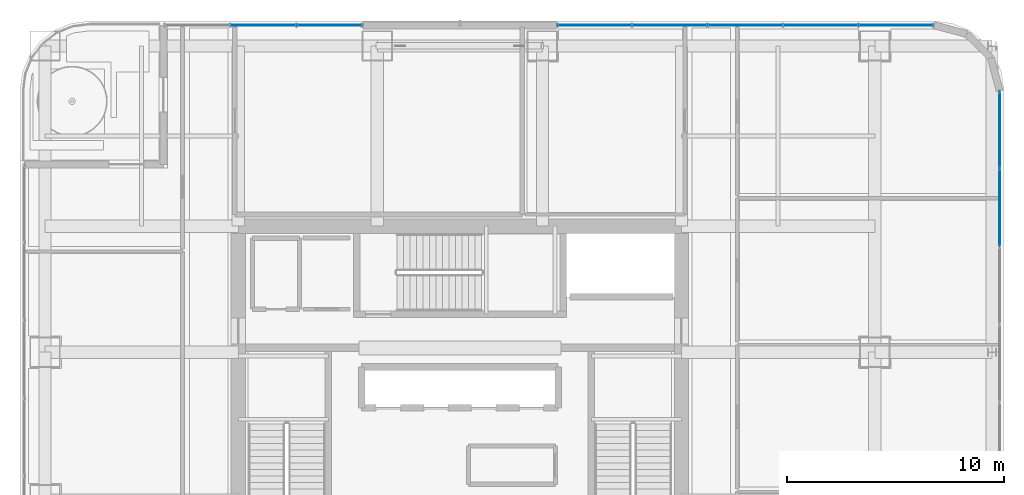
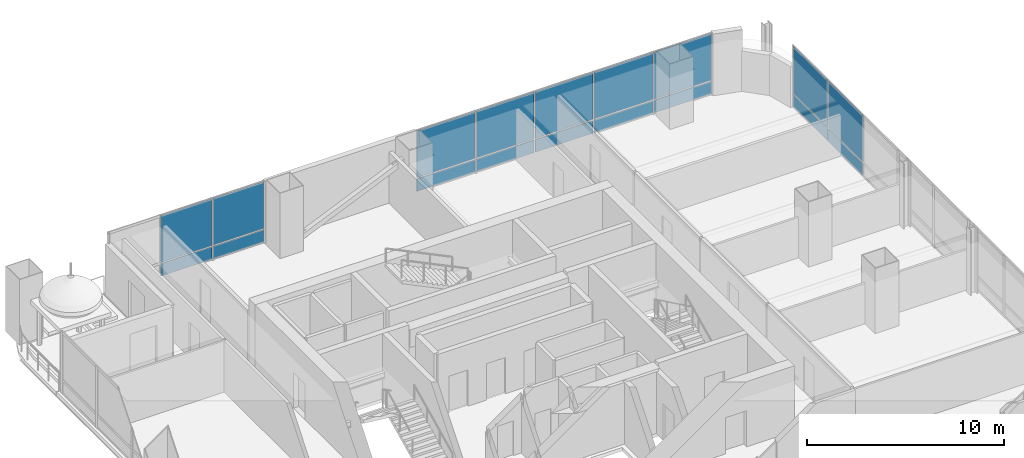
# One storey, part 28 of 41: 18 plates, 3 elements without a shape of their own.
"""IFC4 building model written with IfcOpenShell, lengths in metres."""

from ifc_helpers import new_model, si_unit, direction, frame, origin, origin_2d, place, context, subcontext, project, spatial, rectangle, extrude, material, layer, layer_set, type_object, element, aggregate, save


model = new_model("IFC4")

# Units and contexts
model_context = context("Model", 3, precision=1e-05, world=origin(), true_north=direction((0.0, 1.0)))
body_context = subcontext(model_context, "Body", "Model", "MODEL_VIEW")
ifc_project = project(units=[si_unit("LENGTHUNIT", "METRE"), si_unit("AREAUNIT", "SQUARE_METRE"), si_unit("VOLUMEUNIT", "CUBIC_METRE"), si_unit("PLANEANGLEUNIT", "RADIAN"), si_unit("MASSUNIT", "GRAM", prefix="KILO")], contexts=[model_context])

# Site, building, storey
site_placement = place(None, origin())
site = spatial("IfcSite", under=ifc_project, at=site_placement, CompositionType="ELEMENT")
building_placement = place(site_placement, origin())
building = spatial("IfcBuilding", under=site, at=building_placement, Name="Punatoya Terracotta Tower", CompositionType="ELEMENT")
storey_placement = place(building_placement, frame((0.0, 0.0, 220.800048828125)))
storey = spatial("IfcBuildingStorey", under=building, at=storey_placement, Name="L52", CompositionType="ELEMENT", Elevation=220.800048828125)

# Curtain wall, plates
ifc_material_1 = material(Name="Aluminium 6063-T6 + Double Low-E Glass", Category="aluminium")
curtain_wall_type = type_object("IfcCurtainWallType", Name="CW-M2", PredefinedType="NOTDEFINED", material=ifc_material_1)
curtain_wall_1_placement = place(storey_placement, origin())
curtain_wall_1 = element("IfcCurtainWall", 1, at=curtain_wall_1_placement, inside=storey, type_object=curtain_wall_type, Name="L52 Curtain Wall CW-L52-E04-1", PredefinedType="NOTDEFINED")
ifc_material_2 = material(Name="Double Low-E Acoustic Vision Glass", Category="glass")
ifc_layer_1 = layer(ifc_material_2, 0.031982421875)
ifc_layer_set_1 = layer_set([ifc_layer_1], Name="Double Low-E Acoustic Vision Glass")
plate_type_1 = type_object("IfcPlateType", Name="PLT-GLZ-32", PredefinedType="CURTAIN_PANEL", material=ifc_layer_set_1)
plate_1_placement = place(storey_placement, frame((24.85009765625, 10.0556640625, 0.889892578125), z_axis=(0.0, 0.0, 1.0), x_axis=(0.0, 1.0, 0.0)))
plate_1 = element("IfcPlate", 2, at=plate_1_placement, type_object=plate_type_1, Name="CW-L52-E04-1 Vision Glass Panel 8", PredefinedType="CURTAIN_PANEL", context=body_context, shape_type="SweptSolid", body=[
    extrude(rectangle(XDim=3.50244140625, YDim=0.031982421875, at=origin_2d()), origin(), (0.0, 0.0, 1.0), 2.89990234375),
])
plate_2_placement = place(storey_placement, frame((24.85009765625, 13.643310546875, 0.889892578125), z_axis=(0.0, 0.0, 1.0), x_axis=(0.0, 1.0, 0.0)))
plate_2 = element("IfcPlate", 3, at=plate_2_placement, type_object=plate_type_1, Name="CW-L52-E04-1 Vision Glass Panel 9", PredefinedType="CURTAIN_PANEL", context=body_context, shape_type="SweptSolid", body=[
    extrude(rectangle(XDim=3.50244140625, YDim=0.031982421875, at=origin_2d()), origin(), (0.0, 0.0, 1.0), 2.89990234375),
])

curtain_wall_2_placement = place(storey_placement, origin())
curtain_wall_2 = element("IfcCurtainWall", 4, at=curtain_wall_2_placement, inside=storey, type_object=curtain_wall_type, Name="L52 Curtain Wall CW-L52-N08-1", PredefinedType="NOTDEFINED")
plate_3_placement = place(storey_placement, frame((20.09814453125, 18.449951171875, 0.889892578125), z_axis=(0.0, 0.0, 1.0), x_axis=(-1.0, 0.0, 0.0)))
plate_3 = element("IfcPlate", 5, at=plate_3_placement, type_object=plate_type_1, Name="CW-L52-N08-1 Vision Glass Panel 1", PredefinedType="CURTAIN_PANEL", context=body_context, shape_type="SweptSolid", body=[
    extrude(rectangle(XDim=3.392333984375, YDim=0.031982421875, at=origin_2d()), origin(), (0.0, 0.0, 1.0), 2.89990234375),
])
plate_4_placement = place(storey_placement, frame((16.620849609375, 18.449951171875, 0.889892578125), z_axis=(0.0, 0.0, 1.0), x_axis=(-1.0, 0.0, 0.0)))
plate_4 = element("IfcPlate", 6, at=plate_4_placement, type_object=plate_type_1, Name="CW-L52-N08-1 Vision Glass Panel 2", PredefinedType="CURTAIN_PANEL", context=body_context, shape_type="SweptSolid", body=[
    extrude(rectangle(XDim=3.392333984375, YDim=0.031982421875, at=origin_2d()), origin(), (0.0, 0.0, 1.0), 2.89990234375),
])
plate_5_placement = place(storey_placement, frame((13.143310546875, 18.449951171875, 0.889892578125), z_axis=(0.0, 0.0, 1.0), x_axis=(-1.0, 0.0, 0.0)))
plate_5 = element("IfcPlate", 7, at=plate_5_placement, type_object=plate_type_1, Name="CW-L52-N08-1 Vision Glass Panel 3", PredefinedType="CURTAIN_PANEL", context=body_context, shape_type="SweptSolid", body=[
    extrude(rectangle(XDim=3.392333984375, YDim=0.031982421875, at=origin_2d()), origin(), (0.0, 0.0, 1.0), 2.89990234375),
])
plate_6_placement = place(storey_placement, frame((9.666015625, 18.449951171875, 0.889892578125), z_axis=(0.0, 0.0, 1.0), x_axis=(-1.0, 0.0, 0.0)))
plate_6 = element("IfcPlate", 8, at=plate_6_placement, type_object=plate_type_1, Name="CW-L52-N08-1 Vision Glass Panel 4", PredefinedType="CURTAIN_PANEL", context=body_context, shape_type="SweptSolid", body=[
    extrude(rectangle(XDim=3.392333984375, YDim=0.031982421875, at=origin_2d()), origin(), (0.0, 0.0, 1.0), 2.89990234375),
])
plate_7_placement = place(storey_placement, frame((6.188720703125, 18.449951171875, 0.889892578125), z_axis=(0.0, 0.0, 1.0), x_axis=(-1.0, 0.0, 0.0)))
plate_7 = element("IfcPlate", 9, at=plate_7_placement, type_object=plate_type_1, Name="CW-L52-N08-1 Vision Glass Panel 5", PredefinedType="CURTAIN_PANEL", context=body_context, shape_type="SweptSolid", body=[
    extrude(rectangle(XDim=3.392333984375, YDim=0.031982421875, at=origin_2d()), origin(), (0.0, 0.0, 1.0), 2.89990234375),
])

curtain_wall_3_placement = place(storey_placement, origin())
curtain_wall_3 = element("IfcCurtainWall", 10, at=curtain_wall_3_placement, inside=storey, type_object=curtain_wall_type, Name="L52 Curtain Wall CW-L52-N08-2", PredefinedType="NOTDEFINED")
plate_8_placement = place(storey_placement, frame((-5.9833984375, 18.449951171875, 0.889892578125), z_axis=(0.0, 0.0, 1.0), x_axis=(-1.0, 0.0, 0.0)))
plate_8 = element("IfcPlate", 11, at=plate_8_placement, type_object=plate_type_1, Name="CW-L52-N08-2 Vision Glass Panel 1", PredefinedType="CURTAIN_PANEL", context=body_context, shape_type="SweptSolid", body=[
    extrude(rectangle(XDim=2.981689453125, YDim=0.031982421875, at=origin_2d()), origin(), (0.0, 0.0, 1.0), 2.89990234375),
])
plate_9_placement = place(storey_placement, frame((-9.050048828125, 18.449951171875, 0.889892578125), z_axis=(0.0, 0.0, 1.0), x_axis=(-1.0, 0.0, 0.0)))
plate_9 = element("IfcPlate", 12, at=plate_9_placement, type_object=plate_type_1, Name="CW-L52-N08-2 Vision Glass Panel 2", PredefinedType="CURTAIN_PANEL", context=body_context, shape_type="SweptSolid", body=[
    extrude(rectangle(XDim=2.981689453125, YDim=0.031982421875, at=origin_2d()), origin(), (0.0, 0.0, 1.0), 2.89990234375),
])

# Plate
ifc_material_3 = material(Name="Insulated Terracotta-Backed Spandrel Panel", Category="masonry")
ifc_layer_2 = layer(ifc_material_3, 0.044921875)
ifc_layer_set_2 = layer_set([ifc_layer_2], Name="Insulated Terracotta-Backed Spandrel Panel")
plate_type_2 = type_object("IfcPlateType", Name="PLT-SPN-45", PredefinedType="CURTAIN_PANEL", material=ifc_layer_set_2)
plate_10_placement = place(storey_placement, frame((24.85009765625, 10.0556640625, 0.0400390625), z_axis=(0.0, 0.0, 1.0), x_axis=(0.0, 1.0, 0.0)))
plate_10 = element("IfcPlate", 13, at=plate_10_placement, type_object=plate_type_2, Name="CW-L52-E04-1 Terracotta Spandrel Panel 8", PredefinedType="CURTAIN_PANEL", context=body_context, shape_type="SweptSolid", body=[
    extrude(rectangle(XDim=3.50244140625, YDim=0.044921875, at=origin_2d()), origin(), (0.0, 0.0, 1.0), 0.77490234375),
])

plate_11_placement = place(storey_placement, frame((24.85009765625, 13.643310546875, 0.0400390625), z_axis=(0.0, 0.0, 1.0), x_axis=(0.0, 1.0, 0.0)))
plate_11 = element("IfcPlate", 14, at=plate_11_placement, type_object=plate_type_2, Name="CW-L52-E04-1 Terracotta Spandrel Panel 9", PredefinedType="CURTAIN_PANEL", context=body_context, shape_type="SweptSolid", body=[
    extrude(rectangle(XDim=3.50244140625, YDim=0.044921875, at=origin_2d()), origin(), (0.0, 0.0, 1.0), 0.77490234375),
])

aggregate(curtain_wall_1, [plate_10, plate_1, plate_11, plate_2])

plate_12_placement = place(storey_placement, frame((20.09814453125, 18.449951171875, 0.0400390625), z_axis=(0.0, 0.0, 1.0), x_axis=(-1.0, 0.0, 0.0)))
plate_12 = element("IfcPlate", 15, at=plate_12_placement, type_object=plate_type_2, Name="CW-L52-N08-1 Terracotta Spandrel Panel 1", PredefinedType="CURTAIN_PANEL", context=body_context, shape_type="SweptSolid", body=[
    extrude(rectangle(XDim=3.392333984375, YDim=0.044921875, at=origin_2d()), origin(), (0.0, 0.0, 1.0), 0.77490234375),
])

plate_13_placement = place(storey_placement, frame((16.620849609375, 18.449951171875, 0.0400390625), z_axis=(0.0, 0.0, 1.0), x_axis=(-1.0, 0.0, 0.0)))
plate_13 = element("IfcPlate", 16, at=plate_13_placement, type_object=plate_type_2, Name="CW-L52-N08-1 Terracotta Spandrel Panel 2", PredefinedType="CURTAIN_PANEL", context=body_context, shape_type="SweptSolid", body=[
    extrude(rectangle(XDim=3.392333984375, YDim=0.044921875, at=origin_2d()), origin(), (0.0, 0.0, 1.0), 0.77490234375),
])

plate_14_placement = place(storey_placement, frame((13.143310546875, 18.449951171875, 0.0400390625), z_axis=(0.0, 0.0, 1.0), x_axis=(-1.0, 0.0, 0.0)))
plate_14 = element("IfcPlate", 17, at=plate_14_placement, type_object=plate_type_2, Name="CW-L52-N08-1 Terracotta Spandrel Panel 3", PredefinedType="CURTAIN_PANEL", context=body_context, shape_type="SweptSolid", body=[
    extrude(rectangle(XDim=3.392333984375, YDim=0.044921875, at=origin_2d()), origin(), (0.0, 0.0, 1.0), 0.77490234375),
])

plate_15_placement = place(storey_placement, frame((9.666015625, 18.449951171875, 0.0400390625), z_axis=(0.0, 0.0, 1.0), x_axis=(-1.0, 0.0, 0.0)))
plate_15 = element("IfcPlate", 18, at=plate_15_placement, type_object=plate_type_2, Name="CW-L52-N08-1 Terracotta Spandrel Panel 4", PredefinedType="CURTAIN_PANEL", context=body_context, shape_type="SweptSolid", body=[
    extrude(rectangle(XDim=3.392333984375, YDim=0.044921875, at=origin_2d()), origin(), (0.0, 0.0, 1.0), 0.77490234375),
])

plate_16_placement = place(storey_placement, frame((6.188720703125, 18.449951171875, 0.0400390625), z_axis=(0.0, 0.0, 1.0), x_axis=(-1.0, 0.0, 0.0)))
plate_16 = element("IfcPlate", 19, at=plate_16_placement, type_object=plate_type_2, Name="CW-L52-N08-1 Terracotta Spandrel Panel 5", PredefinedType="CURTAIN_PANEL", context=body_context, shape_type="SweptSolid", body=[
    extrude(rectangle(XDim=3.392333984375, YDim=0.044921875, at=origin_2d()), origin(), (0.0, 0.0, 1.0), 0.77490234375),
])

aggregate(curtain_wall_2, [plate_12, plate_3, plate_13, plate_4, plate_14, plate_5, plate_15, plate_6, plate_16, plate_7])

plate_17_placement = place(storey_placement, frame((-5.9833984375, 18.449951171875, 0.0400390625), z_axis=(0.0, 0.0, 1.0), x_axis=(-1.0, 0.0, 0.0)))
plate_17 = element("IfcPlate", 20, at=plate_17_placement, type_object=plate_type_2, Name="CW-L52-N08-2 Terracotta Spandrel Panel 1", PredefinedType="CURTAIN_PANEL", context=body_context, shape_type="SweptSolid", body=[
    extrude(rectangle(XDim=2.981689453125, YDim=0.044921875, at=origin_2d()), origin(), (0.0, 0.0, 1.0), 0.77490234375),
])

plate_18_placement = place(storey_placement, frame((-9.050048828125, 18.449951171875, 0.0400390625), z_axis=(0.0, 0.0, 1.0), x_axis=(-1.0, 0.0, 0.0)))
plate_18 = element("IfcPlate", 21, at=plate_18_placement, type_object=plate_type_2, Name="CW-L52-N08-2 Terracotta Spandrel Panel 2", PredefinedType="CURTAIN_PANEL", context=body_context, shape_type="SweptSolid", body=[
    extrude(rectangle(XDim=2.981689453125, YDim=0.044921875, at=origin_2d()), origin(), (0.0, 0.0, 1.0), 0.77490234375),
])

aggregate(curtain_wall_3, [plate_17, plate_8, plate_18, plate_9])

save(model, "model.ifc")
